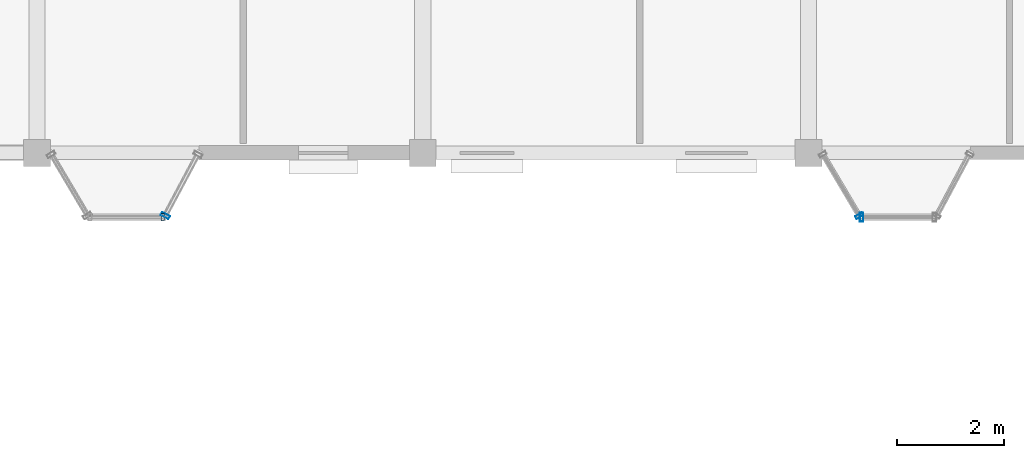
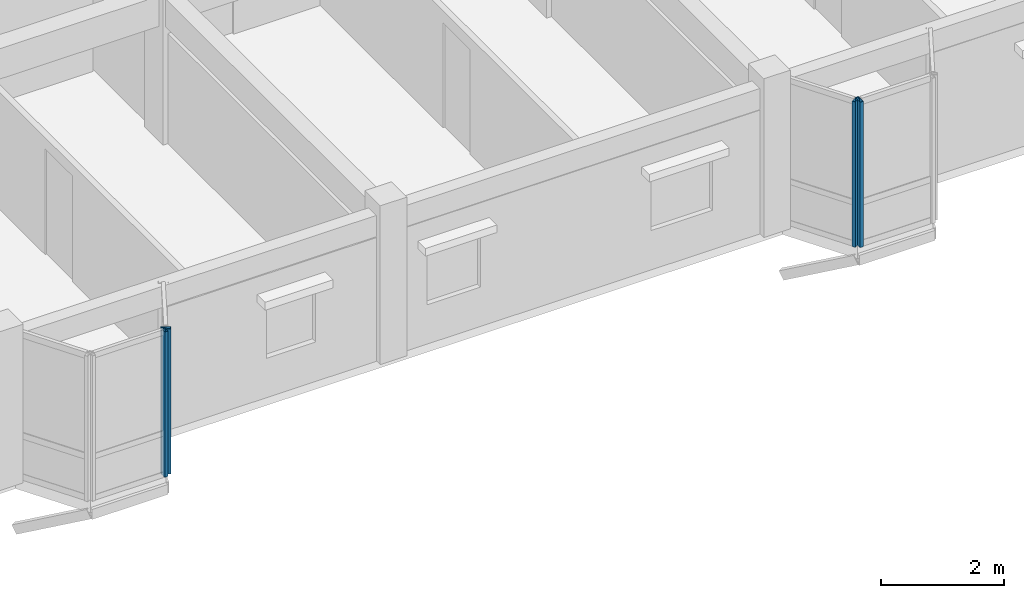
# One storey, part 27 of 64: 4 members, 4 elements without a shape of their own.
"""IFC4 building model written with IfcOpenShell, lengths in metres."""

from ifc_helpers import new_model, si_unit, direction, frame, origin, origin_2d, place, context, subcontext, project, spatial, hollow_rectangle, extrude, material, layer, layer_set, material_profile, profile_set, type_object, element, aggregate, save


model = new_model("IFC4")

# Units and contexts
model_context = context("Model", 3, precision=1e-05, world=origin(), true_north=direction((0.0, 1.0)))
body_context = subcontext(model_context, "Body", "Model", "MODEL_VIEW")
ifc_project = project(units=[si_unit("LENGTHUNIT", "METRE"), si_unit("AREAUNIT", "SQUARE_METRE"), si_unit("VOLUMEUNIT", "CUBIC_METRE"), si_unit("PLANEANGLEUNIT", "RADIAN"), si_unit("MASSUNIT", "GRAM", prefix="KILO"), si_unit("THERMODYNAMICTEMPERATUREUNIT", "KELVIN"), si_unit("POWERUNIT", "WATT")], contexts=[model_context])

# Site, building, storey
site_placement = place(None, origin())
site = spatial("IfcSite", under=ifc_project, at=site_placement, CompositionType="ELEMENT")
building_placement = place(site_placement, origin())
building = spatial("IfcBuilding", under=site, at=building_placement, Name="Tavuni Mirador Residences", CompositionType="ELEMENT")
storey_placement = place(building_placement, frame((0.0, 0.0, 26.550048828125)))
storey = spatial("IfcBuildingStorey", under=building, at=storey_placement, Name="L08", CompositionType="ELEMENT", Elevation=26.550048828125)

# Curtain wall, member
ifc_material = material(Name="Anodised aluminium", Category="aluminium")
ifc_layer_1 = layer(ifc_material, 0.175048828125, Name="Anodised aluminium", Category="aluminium")
ifc_layer_set_1 = layer_set([ifc_layer_1], Name="Anodised aluminium")
curtain_wall_type_1 = type_object("IfcCurtainWallType", Name="CWT-MIR-C", PredefinedType="NOTDEFINED", material=ifc_layer_set_1)
curtain_wall_1_placement = place(storey_placement, origin())
curtain_wall_1 = element("IfcCurtainWall", 1, at=curtain_wall_1_placement, inside=storey, type_object=curtain_wall_type_1, Name="CW-MIR-C-S2-L08-MF", PredefinedType="NOTDEFINED")
ifc_material_profile_1 = material_profile(ifc_material, hollow_rectangle(XDim=0.06005859375, YDim=0.139892578125, WallThickness=0.00390625, at=origin_2d()), Name="ALU 60x140x4.0", Category="aluminium")
ifc_profile_set_1 = profile_set([ifc_material_profile_1], Name="Anodised aluminium")
member_type_1 = type_object("IfcMemberType", Name="CWM-140", PredefinedType="MULLION", material=ifc_profile_set_1)
member_1_placement = place(storey_placement, frame((34.75, 142.800048828125, 0.0), z_axis=(0.0, 0.0, 1.0), x_axis=(1.0, 0.0, 0.0)))
member_1 = element("IfcMember", 2, at=member_1_placement, type_object=member_type_1, Name="CW-03 mullion 2", PredefinedType="MULLION", context=body_context, shape_type="SweptSolid", body=[
    extrude(hollow_rectangle(XDim=0.06005859375, YDim=0.139892578125, WallThickness=0.00390625, at=origin_2d()), origin(), (0.0, 0.0, 1.0), 2.885009765625),
])
aggregate(curtain_wall_1, [member_1])

ifc_layer_2 = layer(ifc_material, 0.1650390625, Name="Anodised aluminium", Category="aluminium")
ifc_layer_set_2 = layer_set([ifc_layer_2], Name="Anodised aluminium")
curtain_wall_type_2 = type_object("IfcCurtainWallType", Name="CWT-MIR-A", PredefinedType="NOTDEFINED", material=ifc_layer_set_2)
curtain_wall_2_placement = place(storey_placement, origin())
curtain_wall_2 = element("IfcCurtainWall", 3, at=curtain_wall_2_placement, inside=storey, type_object=curtain_wall_type_2, Name="CW-MIR-C-S3-L08-M1", PredefinedType="NOTDEFINED")
member_2_placement = place(storey_placement, frame((47.74462890625, 142.825927734375, 0.0), z_axis=(0.0, 0.0, 1.0), x_axis=(0.509212491254, -0.860640830284, 0.0)))
member_2 = element("IfcMember", 4, at=member_2_placement, type_object=member_type_1, Name="CW-01 mullion 2", PredefinedType="MULLION", context=body_context, shape_type="SweptSolid", body=[
    extrude(hollow_rectangle(XDim=0.06005859375, YDim=0.139892578125, WallThickness=0.00390625, at=origin_2d()), origin(), (0.0, 0.0, 1.0), 2.885009765625),
])
aggregate(curtain_wall_2, [member_2])

ifc_layer_3 = layer(ifc_material, 0.159912109375, Name="Anodised aluminium", Category="aluminium")
ifc_layer_set_3 = layer_set([ifc_layer_3], Name="Anodised aluminium")
curtain_wall_type_3 = type_object("IfcCurtainWallType", Name="CWT-MIR-D", PredefinedType="NOTDEFINED", material=ifc_layer_set_3)
curtain_wall_3_placement = place(storey_placement, origin())
curtain_wall_3 = element("IfcCurtainWall", 5, at=curtain_wall_3_placement, inside=storey, type_object=curtain_wall_type_3, Name="CW-MIR-C-S2-L08-M2", PredefinedType="NOTDEFINED")
ifc_material_profile_2 = material_profile(ifc_material, hollow_rectangle(XDim=0.06494140625, YDim=0.1650390625, WallThickness=0.00439453125, at=origin_2d()), Name="ALU 65x165x4.5", Category="aluminium")
ifc_profile_set_2 = profile_set([ifc_material_profile_2], Name="Anodised aluminium")
member_type_2 = type_object("IfcMemberType", Name="CWM-165", PredefinedType="MULLION", material=ifc_profile_set_2)
member_3_placement = place(storey_placement, frame((34.79541015625, 142.82861328125, 0.0), z_axis=(0.0, 0.0, 1.0), x_axis=(0.470588235296, 0.882352941175, 0.0)))
member_3 = element("IfcMember", 6, at=member_3_placement, type_object=member_type_2, Name="CW-04 mullion 1", PredefinedType="MULLION", context=body_context, shape_type="SweptSolid", body=[
    extrude(hollow_rectangle(XDim=0.06494140625, YDim=0.1650390625, WallThickness=0.00439453125, at=origin_2d()), origin(), (0.0, 0.0, 1.0), 2.885009765625),
])
aggregate(curtain_wall_3, [member_3])

ifc_layer_4 = layer(ifc_material, 0.14990234375, Name="Anodised aluminium", Category="aluminium")
ifc_layer_set_4 = layer_set([ifc_layer_4], Name="Anodised aluminium")
curtain_wall_type_4 = type_object("IfcCurtainWallType", Name="CWT-MIR-B", PredefinedType="NOTDEFINED", material=ifc_layer_set_4)
curtain_wall_4_placement = place(storey_placement, origin())
curtain_wall_4 = element("IfcCurtainWall", 7, at=curtain_wall_4_placement, inside=storey, type_object=curtain_wall_type_4, Name="CW-MIR-C-S3-L08-MF", PredefinedType="NOTDEFINED")
member_4_placement = place(storey_placement, frame((47.79248046875, 142.800048828125, 0.0), z_axis=(0.0, 0.0, 1.0), x_axis=(1.0, 0.0, 0.0)))
member_4 = element("IfcMember", 8, at=member_4_placement, type_object=member_type_2, Name="CW-02 mullion 1", PredefinedType="MULLION", context=body_context, shape_type="SweptSolid", body=[
    extrude(hollow_rectangle(XDim=0.06494140625, YDim=0.1650390625, WallThickness=0.00439453125, at=origin_2d()), origin(), (0.0, 0.0, 1.0), 2.885009765625),
])
aggregate(curtain_wall_4, [member_4])

save(model, "model.ifc")
